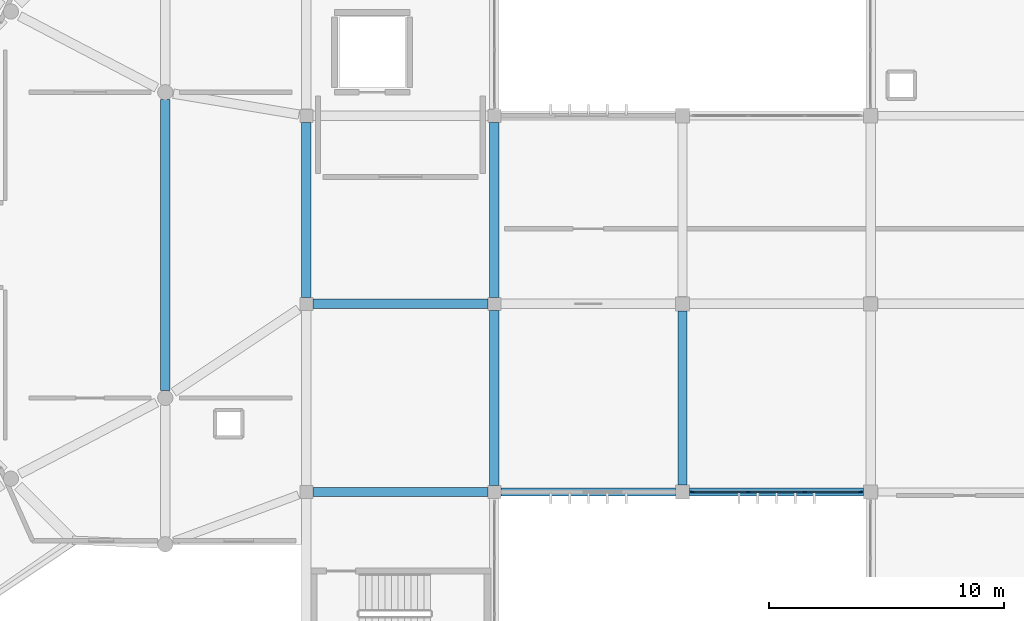
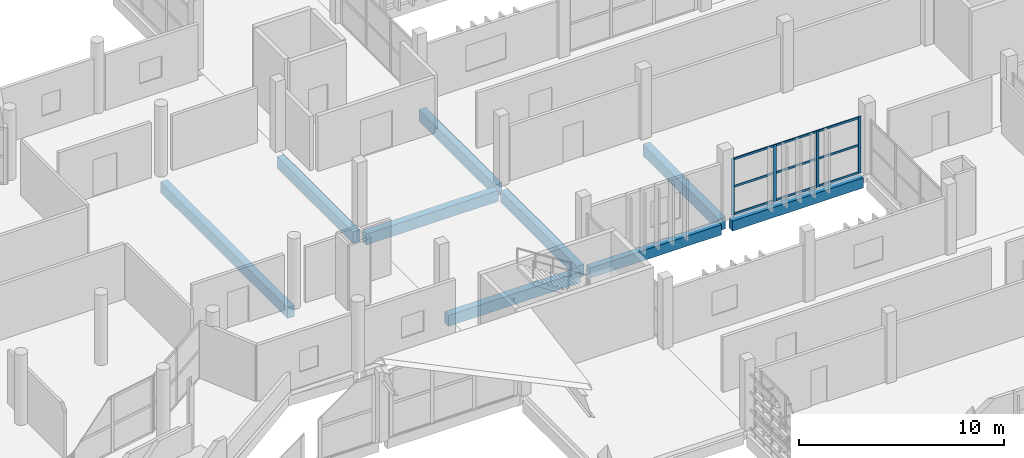
# One storey, part 20 of 83: 13 members, 9 beams, 1 element without a shape of its own.
"""IFC4 building model written with IfcOpenShell, lengths in metres."""

from ifc_helpers import new_model, si_unit, direction, frame, origin, origin_2d, place, context, subcontext, project, spatial, rectangle, extrude, material, layer, layer_set, material_profile, profile_set, type_object, element, aggregate, save


model = new_model("IFC4")

# Units and contexts
model_context = context("Model", 3, precision=1e-05, world=origin(), true_north=direction((0.0, 1.0)))
body_context = subcontext(model_context, "Body", "Model", "MODEL_VIEW")
ifc_project = project(units=[si_unit("LENGTHUNIT", "METRE"), si_unit("AREAUNIT", "SQUARE_METRE"), si_unit("VOLUMEUNIT", "CUBIC_METRE"), si_unit("PLANEANGLEUNIT", "RADIAN"), si_unit("MASSUNIT", "GRAM", prefix="KILO")], contexts=[model_context])

# Site, building, storey
site_placement = place(None, origin())
site = spatial("IfcSite", under=ifc_project, at=site_placement, CompositionType="ELEMENT")
building_placement = place(site_placement, origin())
building = spatial("IfcBuilding", under=site, at=building_placement, Name="Jelvoka-Kovrelna Polytechnic", CompositionType="ELEMENT")
storey_placement = place(building_placement, frame((0.0, 0.0, 13.800048828125)))
storey = spatial("IfcBuildingStorey", under=building, at=storey_placement, Name="L04", CompositionType="ELEMENT", Elevation=13.800048828125)

# Beams
ifc_material_1 = material(Name="Concrete C40/50", Category="concrete")
ifc_material_profile_1 = material_profile(ifc_material_1, rectangle(XDim=0.39990234375, YDim=0.64990234375, at=origin_2d()), Name="RC 400x650")
ifc_profile_set_1 = profile_set([ifc_material_profile_1], Name="Concrete C40/50")
beam_type_1 = type_object("IfcBeamType", Name="Beam_RC_400x650", PredefinedType="BEAM", material=ifc_profile_set_1)
for number, where, z_axis, x_axis, name in (
    (1, (48.280029296875, 32.0, -0.574951171875), (1.0, 0.0, 0.0), (0.0, 1.0, 0.0), "L04 beam 1344"),
    (2, (48.280029296875, 40.0, -0.574951171875), (1.0, 0.0, 0.0), (0.0, 1.0, 0.0), "L04 beam 1345"),
):
    element("IfcBeam", number, at=place(storey_placement, frame(where, z_axis=z_axis, x_axis=x_axis)), inside=storey, type_object=beam_type_1, Name=name, PredefinedType="BEAM", context=body_context, shape_type="SweptSolid", body=[
        extrude(rectangle(XDim=0.39990234375, YDim=0.64990234375, at=origin_2d()), origin(), (0.0, 0.0, 1.0), 7.43994140625),
    ])
beam_1_placement = place(storey_placement, frame((42.0, 36.304931640625, -0.574951171875), z_axis=(0.0, 1.0, 0.0), x_axis=(-1.0, 0.0, 0.0)))
element("IfcBeam", 3, at=beam_1_placement, inside=storey, type_object=beam_type_1, Name="L04 beam 2598", PredefinedType="BEAM", context=body_context, shape_type="SweptSolid", body=[
    extrude(rectangle(XDim=0.39990234375, YDim=0.64990234375, at=origin_2d()), origin(), (0.0, 0.0, 1.0), 12.39013671875),
])
ifc_material_2 = material(Name="Concrete C40/50", Category="concrete")
ifc_material_profile_2 = material_profile(ifc_material_2, rectangle(XDim=0.39990234375, YDim=0.699951171875, at=origin_2d()), Name="RC 400x700")
ifc_profile_set_2 = profile_set([ifc_material_profile_2], Name="Concrete C40/50")
beam_type_2 = type_object("IfcBeamType", Name="Beam_RC_400x700", PredefinedType="BEAM", material=ifc_profile_set_2)
for number, where, z_axis, x_axis, name in (
    (4, (56.0, 32.280029296875, -0.60009765625), (0.0, 1.0, 0.0), (-1.0, 0.0, 0.0), "L04 beam 1196"),
    (5, (56.0, 40.280029296875, -0.60009765625), (0.0, 1.0, 0.0), (-1.0, 0.0, 0.0), "L04 beam 1197"),
):
    element("IfcBeam", number, at=place(storey_placement, frame(where, z_axis=z_axis, x_axis=x_axis)), inside=storey, type_object=beam_type_2, Name=name, PredefinedType="BEAM", context=body_context, shape_type="SweptSolid", body=[
        extrude(rectangle(XDim=0.39990234375, YDim=0.699951171875, at=origin_2d()), origin(), (0.0, 0.0, 1.0), 7.43994140625),
    ])
beam_2_placement = place(storey_placement, frame((64.0, 32.304931640625, -0.60009765625), z_axis=(0.0, 1.0, 0.0), x_axis=(-1.0, 0.0, 0.0)))
element("IfcBeam", 6, at=beam_2_placement, inside=storey, type_object=beam_type_2, Name="L04 beam 1198", PredefinedType="BEAM", context=body_context, shape_type="SweptSolid", body=[
    extrude(rectangle(XDim=0.39990234375, YDim=0.699951171875, at=origin_2d()), origin(), (0.0, 0.0, 1.0), 7.39013671875),
])
beam_3_placement = place(storey_placement, frame((48.0, 40.280029296875, -0.60009765625), z_axis=(0.0, 1.0, 0.0), x_axis=(-1.0, 0.0, 0.0)))
element("IfcBeam", 7, at=beam_3_placement, inside=storey, type_object=beam_type_2, Name="L04 beam 1353", PredefinedType="BEAM", context=body_context, shape_type="SweptSolid", body=[
    extrude(rectangle(XDim=0.39990234375, YDim=0.699951171875, at=origin_2d()), origin(), (0.0, 0.0, 1.0), 7.43994140625),
])

# Curtain wall, members
ifc_material_3 = material(Name="Anodised aluminium 6063-T6", Category="aluminium")
ifc_layer = layer(ifc_material_3, 0.159912109375)
ifc_layer_set = layer_set([ifc_layer], Name="Anodised aluminium 6063-T6")
curtain_wall_type = type_object("IfcCurtainWallType", Name="CW_Recessed_A", PredefinedType="NOTDEFINED", material=ifc_layer_set)
curtain_wall_placement = place(storey_placement, origin())
curtain_wall = element("IfcCurtainWall", 8, at=curtain_wall_placement, inside=storey, type_object=curtain_wall_type, Name="L04 glazed curtain wall 027", PredefinedType="NOTDEFINED")
ifc_material_4 = material(Name="Anodised aluminium 6063-T6", Category="aluminium")
ifc_material_profile_3 = material_profile(ifc_material_4, rectangle(XDim=0.06005859375, YDim=0.159912109375, at=origin_2d()), Name="ALU 60x160")
ifc_profile_set_3 = profile_set([ifc_material_profile_3], Name="Anodised aluminium 6063-T6")
member_type_1 = type_object("IfcMemberType", Name="Mullion_M-01", PredefinedType="MULLION", material=ifc_profile_set_3)
member_1_placement = place(storey_placement, frame((71.570068359375, 32.0, -0.02490234375), z_axis=(0.0, 0.0, 1.0), x_axis=(0.0, -1.0, 0.0)))
member_1 = element("IfcMember", 9, at=member_1_placement, type_object=member_type_1, Name="CW-01 mullion 1", PredefinedType="MULLION", context=body_context, shape_type="SweptSolid", body=[
    extrude(rectangle(XDim=0.06005859375, YDim=0.159912109375, at=origin_2d()), origin(), (0.0, 0.0, 1.0), 3.375),
])
member_2_placement = place(storey_placement, frame((69.199951171875, 32.0, -0.02490234375), z_axis=(0.0, 0.0, 1.0), x_axis=(0.0, -1.0, 0.0)))
member_2 = element("IfcMember", 10, at=member_2_placement, type_object=member_type_1, Name="CW-01 mullion 2", PredefinedType="MULLION", context=body_context, shape_type="SweptSolid", body=[
    extrude(rectangle(XDim=0.06005859375, YDim=0.159912109375, at=origin_2d()), origin(), (0.0, 0.0, 1.0), 3.375),
])
member_3_placement = place(storey_placement, frame((66.800048828125, 32.0, -0.02490234375), z_axis=(0.0, 0.0, 1.0), x_axis=(0.0, -1.0, 0.0)))
member_3 = element("IfcMember", 11, at=member_3_placement, type_object=member_type_1, Name="CW-01 mullion 3", PredefinedType="MULLION", context=body_context, shape_type="SweptSolid", body=[
    extrude(rectangle(XDim=0.06005859375, YDim=0.159912109375, at=origin_2d()), origin(), (0.0, 0.0, 1.0), 3.375),
])
member_4_placement = place(storey_placement, frame((64.429931640625, 32.0, -0.02490234375), z_axis=(0.0, 0.0, 1.0), x_axis=(0.0, -1.0, 0.0)))
member_4 = element("IfcMember", 12, at=member_4_placement, type_object=member_type_1, Name="CW-01 mullion 4", PredefinedType="MULLION", context=body_context, shape_type="SweptSolid", body=[
    extrude(rectangle(XDim=0.06005859375, YDim=0.159912109375, at=origin_2d()), origin(), (0.0, 0.0, 1.0), 3.375),
])

# Beams
ifc_material_5 = material(Name="Concrete C40/50", Category="concrete")
ifc_material_profile_4 = material_profile(ifc_material_5, rectangle(XDim=0.35009765625, YDim=0.60009765625, at=origin_2d()), Name="RC 350x600")
ifc_profile_set_4 = profile_set([ifc_material_profile_4], Name="Concrete C40/50")
beam_type_3 = type_object("IfcBeamType", Name="Spandrel_RC_350x600", PredefinedType="SPANDREL", material=ifc_profile_set_4)
beam_4_placement = place(storey_placement, frame((56.280029296875, 32.0, -0.550048828125), z_axis=(1.0, 0.0, 0.0), x_axis=(0.0, 1.0, 0.0)))
element("IfcBeam", 13, at=beam_4_placement, inside=storey, type_object=beam_type_3, Name="L04 beam 1176", PredefinedType="SPANDREL", context=body_context, shape_type="SweptSolid", body=[
    extrude(rectangle(XDim=0.35009765625, YDim=0.60009765625, at=origin_2d()), origin(), (0.0, 0.0, 1.0), 7.4150390625),
])
beam_5_placement = place(storey_placement, frame((64.304931640625, 32.0, -0.550048828125), z_axis=(1.0, 0.0, 0.0), x_axis=(0.0, 1.0, 0.0)))
element("IfcBeam", 14, at=beam_5_placement, inside=storey, type_object=beam_type_3, Name="L04 beam 1177", PredefinedType="SPANDREL", context=body_context, shape_type="SweptSolid", body=[
    extrude(rectangle(XDim=0.35009765625, YDim=0.60009765625, at=origin_2d()), origin(), (0.0, 0.0, 1.0), 7.39013671875),
])

# Member
ifc_material_6 = material(Name="Anodised aluminium 6063-T6", Category="aluminium")
ifc_material_profile_5 = material_profile(ifc_material_6, rectangle(XDim=0.06005859375, YDim=0.1201171875, at=origin_2d()), Name="ALU 60x120")
ifc_profile_set_5 = profile_set([ifc_material_profile_5], Name="Anodised aluminium 6063-T6")
member_type_2 = type_object("IfcMemberType", Name="Transom_T-01", PredefinedType="USERDEFINED", material=ifc_profile_set_5)
member_5_placement = place(storey_placement, frame((71.5400390625, 32.0, 0.030029296875), z_axis=(-1.0, 0.0, 0.0), x_axis=(0.0, -1.0, 0.0)))
member_5 = element("IfcMember", 15, at=member_5_placement, type_object=member_type_2, Name="CW-01 transom 1.1", ObjectType="TRANSOM", PredefinedType="USERDEFINED", context=body_context, shape_type="SweptSolid", body=[
    extrude(rectangle(XDim=0.06005859375, YDim=0.1201171875, at=origin_2d()), origin(), (0.0, 0.0, 1.0), 2.31005859375),
])

member_6_placement = place(storey_placement, frame((71.5400390625, 32.0, 1.662353515625), z_axis=(-1.0, 0.0, 0.0), x_axis=(0.0, -1.0, 0.0)))
member_6 = element("IfcMember", 16, at=member_6_placement, type_object=member_type_2, Name="CW-01 transom 1.2", ObjectType="TRANSOM", PredefinedType="USERDEFINED", context=body_context, shape_type="SweptSolid", body=[
    extrude(rectangle(XDim=0.06005859375, YDim=0.1201171875, at=origin_2d()), origin(), (0.0, 0.0, 1.0), 2.31005859375),
])

member_7_placement = place(storey_placement, frame((71.5400390625, 32.0, 3.294921875), z_axis=(-1.0, 0.0, 0.0), x_axis=(0.0, -1.0, 0.0)))
member_7 = element("IfcMember", 17, at=member_7_placement, type_object=member_type_2, Name="CW-01 transom 1.3", ObjectType="TRANSOM", PredefinedType="USERDEFINED", context=body_context, shape_type="SweptSolid", body=[
    extrude(rectangle(XDim=0.06005859375, YDim=0.1201171875, at=origin_2d()), origin(), (0.0, 0.0, 1.0), 2.31005859375),
])

member_8_placement = place(storey_placement, frame((69.169921875, 32.0, 0.030029296875), z_axis=(-1.0, 0.0, 0.0), x_axis=(0.0, -1.0, 0.0)))
member_8 = element("IfcMember", 18, at=member_8_placement, type_object=member_type_2, Name="CW-01 transom 2.1", ObjectType="TRANSOM", PredefinedType="USERDEFINED", context=body_context, shape_type="SweptSolid", body=[
    extrude(rectangle(XDim=0.06005859375, YDim=0.1201171875, at=origin_2d()), origin(), (0.0, 0.0, 1.0), 2.33984375),
])

member_9_placement = place(storey_placement, frame((69.169921875, 32.0, 1.662353515625), z_axis=(-1.0, 0.0, 0.0), x_axis=(0.0, -1.0, 0.0)))
member_9 = element("IfcMember", 19, at=member_9_placement, type_object=member_type_2, Name="CW-01 transom 2.2", ObjectType="TRANSOM", PredefinedType="USERDEFINED", context=body_context, shape_type="SweptSolid", body=[
    extrude(rectangle(XDim=0.06005859375, YDim=0.1201171875, at=origin_2d()), origin(), (0.0, 0.0, 1.0), 2.33984375),
])

member_10_placement = place(storey_placement, frame((69.169921875, 32.0, 3.294921875), z_axis=(-1.0, 0.0, 0.0), x_axis=(0.0, -1.0, 0.0)))
member_10 = element("IfcMember", 20, at=member_10_placement, type_object=member_type_2, Name="CW-01 transom 2.3", ObjectType="TRANSOM", PredefinedType="USERDEFINED", context=body_context, shape_type="SweptSolid", body=[
    extrude(rectangle(XDim=0.06005859375, YDim=0.1201171875, at=origin_2d()), origin(), (0.0, 0.0, 1.0), 2.33984375),
])

member_11_placement = place(storey_placement, frame((66.77001953125, 32.0, 0.030029296875), z_axis=(-1.0, 0.0, 0.0), x_axis=(0.0, -1.0, 0.0)))
member_11 = element("IfcMember", 21, at=member_11_placement, type_object=member_type_2, Name="CW-01 transom 3.1", ObjectType="TRANSOM", PredefinedType="USERDEFINED", context=body_context, shape_type="SweptSolid", body=[
    extrude(rectangle(XDim=0.06005859375, YDim=0.1201171875, at=origin_2d()), origin(), (0.0, 0.0, 1.0), 2.31005859375),
])

member_12_placement = place(storey_placement, frame((66.77001953125, 32.0, 1.662353515625), z_axis=(-1.0, 0.0, 0.0), x_axis=(0.0, -1.0, 0.0)))
member_12 = element("IfcMember", 22, at=member_12_placement, type_object=member_type_2, Name="CW-01 transom 3.2", ObjectType="TRANSOM", PredefinedType="USERDEFINED", context=body_context, shape_type="SweptSolid", body=[
    extrude(rectangle(XDim=0.06005859375, YDim=0.1201171875, at=origin_2d()), origin(), (0.0, 0.0, 1.0), 2.31005859375),
])

member_13_placement = place(storey_placement, frame((66.77001953125, 32.0, 3.294921875), z_axis=(-1.0, 0.0, 0.0), x_axis=(0.0, -1.0, 0.0)))
member_13 = element("IfcMember", 23, at=member_13_placement, type_object=member_type_2, Name="CW-01 transom 3.3", ObjectType="TRANSOM", PredefinedType="USERDEFINED", context=body_context, shape_type="SweptSolid", body=[
    extrude(rectangle(XDim=0.06005859375, YDim=0.1201171875, at=origin_2d()), origin(), (0.0, 0.0, 1.0), 2.31005859375),
])

aggregate(curtain_wall, [member_1, member_2, member_3, member_4, member_5, member_6, member_7, member_8, member_9, member_10, member_11, member_12, member_13])

save(model, "model.ifc")
